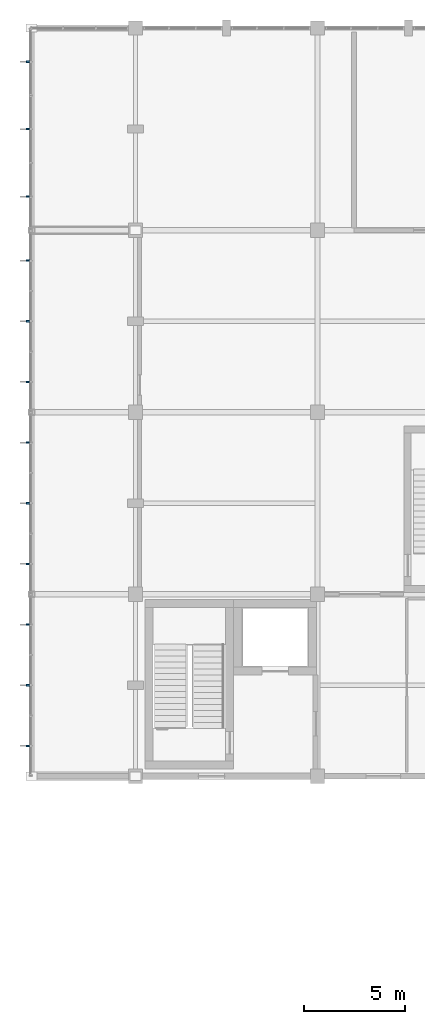
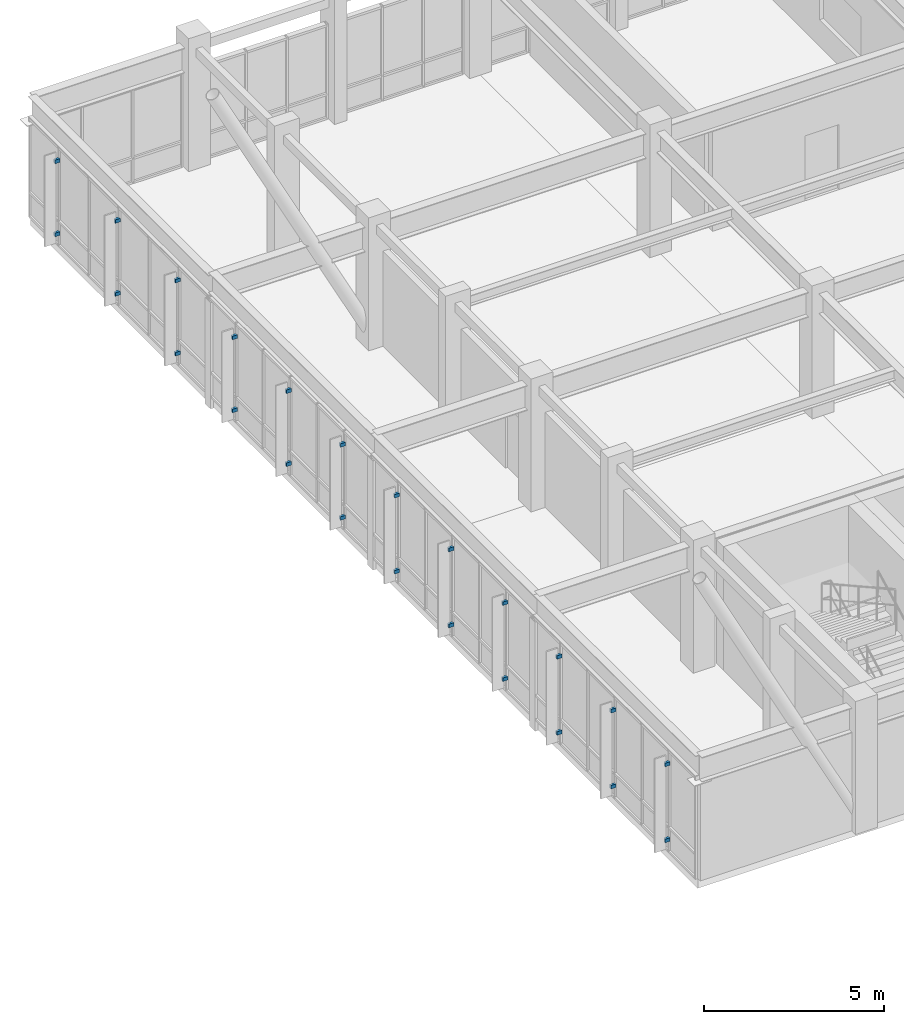
# One storey, part 48 of 55: 24 discrete accessories.
"""IFC4 building model written with IfcOpenShell, lengths in metres."""

from ifc_helpers import new_model, si_unit, direction, frame, origin, origin_2d, place, context, subcontext, project, spatial, rectangle, extrude, material, type_object, element, save


model = new_model("IFC4")

# Units and contexts
model_context = context("Model", 3, precision=1e-05, world=origin(), true_north=direction((0.0, 1.0)))
body_context = subcontext(model_context, "Body", "Model", "MODEL_VIEW")
ifc_project = project(units=[si_unit("LENGTHUNIT", "METRE"), si_unit("AREAUNIT", "SQUARE_METRE"), si_unit("VOLUMEUNIT", "CUBIC_METRE"), si_unit("PLANEANGLEUNIT", "RADIAN"), si_unit("MASSUNIT", "GRAM", prefix="KILO")], contexts=[model_context])

# Site, building, storey
site_placement = place(None, origin())
site = spatial("IfcSite", under=ifc_project, at=site_placement, CompositionType="ELEMENT")
building_placement = place(site_placement, origin())
building = spatial("IfcBuilding", under=site, at=building_placement, Name="Ventoquebrada Cableway Terminal", CompositionType="ELEMENT")
storey_placement = place(building_placement, frame((0.0, 0.0, 14.39990234375)))
storey = spatial("IfcBuildingStorey", under=building, at=storey_placement, Name="L03", CompositionType="ELEMENT", Elevation=14.39990234375)

# Discrete accessories
ifc_material = material(Name="Anodized thermally-broken aluminium", Category="aluminium")
discrete_accessory_type = type_object("IfcDiscreteAccessoryType", Name="BRK-01", PredefinedType="BRACKET", material=ifc_material)
for number, where, z_axis, x_axis, name in (
    (1, (2.8798828125, 84.5, 0.39013671875), (0.0, 0.0, 1.0), (0.0, -1.0, 0.0), "Sunshade bracket FN-027"),
    (2, (2.8798828125, 84.5, 2.962158203125), (0.0, 0.0, 1.0), (0.0, -1.0, 0.0), "Sunshade bracket FN-027"),
    (3, (2.8798828125, 81.5, 0.39013671875), (0.0, 0.0, 1.0), (0.0, -1.0, 0.0), "Sunshade bracket FN-028"),
    (4, (2.8798828125, 81.5, 2.962158203125), (0.0, 0.0, 1.0), (0.0, -1.0, 0.0), "Sunshade bracket FN-028"),
    (5, (2.8798828125, 78.5, 0.39013671875), (0.0, 0.0, 1.0), (0.0, -1.0, 0.0), "Sunshade bracket FN-029"),
    (6, (2.8798828125, 78.5, 2.962158203125), (0.0, 0.0, 1.0), (0.0, -1.0, 0.0), "Sunshade bracket FN-029"),
    (7, (2.8798828125, 93.5, 0.39013671875), (0.0, 0.0, 1.0), (0.0, -1.0, 0.0), "Sunshade bracket FN-030"),
    (8, (2.8798828125, 93.5, 2.962158203125), (0.0, 0.0, 1.0), (0.0, -1.0, 0.0), "Sunshade bracket FN-030"),
    (9, (2.8798828125, 90.5, 0.39013671875), (0.0, 0.0, 1.0), (0.0, -1.0, 0.0), "Sunshade bracket FN-031"),
    (10, (2.8798828125, 90.5, 2.962158203125), (0.0, 0.0, 1.0), (0.0, -1.0, 0.0), "Sunshade bracket FN-031"),
    (11, (2.8798828125, 87.5, 0.39013671875), (0.0, 0.0, 1.0), (0.0, -1.0, 0.0), "Sunshade bracket FN-032"),
    (12, (2.8798828125, 87.5, 2.962158203125), (0.0, 0.0, 1.0), (0.0, -1.0, 0.0), "Sunshade bracket FN-032"),
    (13, (2.8798828125, 102.5, 0.39013671875), (0.0, 0.0, 1.0), (0.0, -1.0, 0.0), "Sunshade bracket FN-033"),
    (14, (2.8798828125, 102.5, 2.862060546875), (0.0, 0.0, 1.0), (0.0, -1.0, 0.0), "Sunshade bracket FN-033"),
    (15, (2.8798828125, 99.5, 0.39013671875), (0.0, 0.0, 1.0), (0.0, -1.0, 0.0), "Sunshade bracket FN-034"),
    (16, (2.8798828125, 99.5, 2.862060546875), (0.0, 0.0, 1.0), (0.0, -1.0, 0.0), "Sunshade bracket FN-034"),
    (17, (2.8798828125, 96.5, 0.39013671875), (0.0, 0.0, 1.0), (0.0, -1.0, 0.0), "Sunshade bracket FN-035"),
    (18, (2.8798828125, 96.5, 2.862060546875), (0.0, 0.0, 1.0), (0.0, -1.0, 0.0), "Sunshade bracket FN-035"),
    (19, (2.8798828125, 112.3330078125, 0.39013671875), (0.0, 0.0, 1.0), (0.0, -1.0, 0.0), "Sunshade bracket FN-036"),
    (20, (2.8798828125, 112.3330078125, 2.862060546875), (0.0, 0.0, 1.0), (0.0, -1.0, 0.0), "Sunshade bracket FN-036"),
    (21, (2.8798828125, 109.0, 0.39013671875), (0.0, 0.0, 1.0), (0.0, -1.0, 0.0), "Sunshade bracket FN-037"),
    (22, (2.8798828125, 109.0, 2.862060546875), (0.0, 0.0, 1.0), (0.0, -1.0, 0.0), "Sunshade bracket FN-037"),
    (23, (2.8798828125, 105.6669921875, 0.39013671875), (0.0, 0.0, 1.0), (0.0, -1.0, 0.0), "Sunshade bracket FN-038"),
    (24, (2.8798828125, 105.6669921875, 2.862060546875), (0.0, 0.0, 1.0), (0.0, -1.0, 0.0), "Sunshade bracket FN-038"),
):
    element("IfcDiscreteAccessory", number, at=place(storey_placement, frame(where, z_axis=z_axis, x_axis=x_axis)), inside=storey, type_object=discrete_accessory_type, Name=name, PredefinedType="BRACKET", context=body_context, shape_type="SweptSolid", body=[
        extrude(rectangle(XDim=0.080078125, YDim=0.159912109375, at=origin_2d()), origin(), (0.0, 0.0, 1.0), 0.1201171875),
    ])

save(model, "model.ifc")
